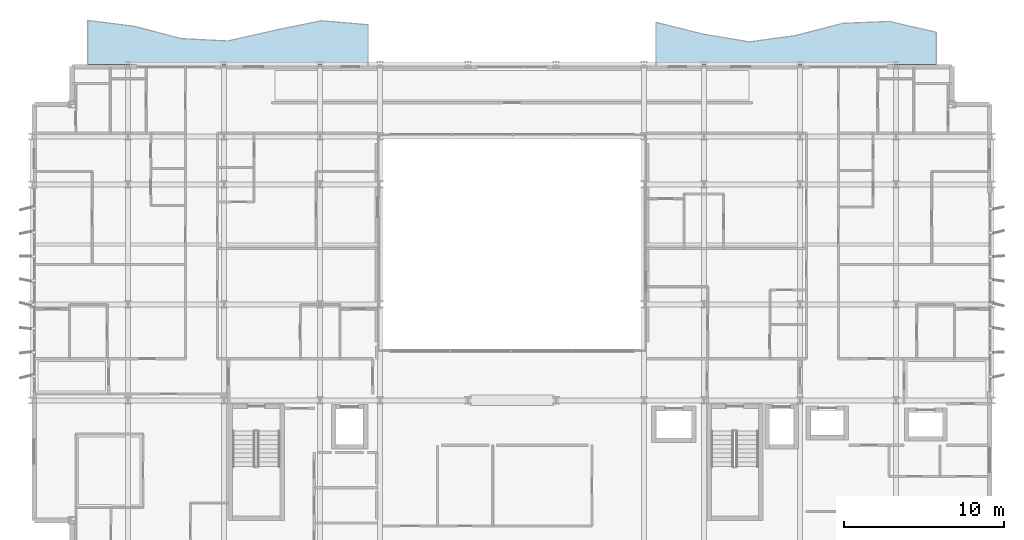
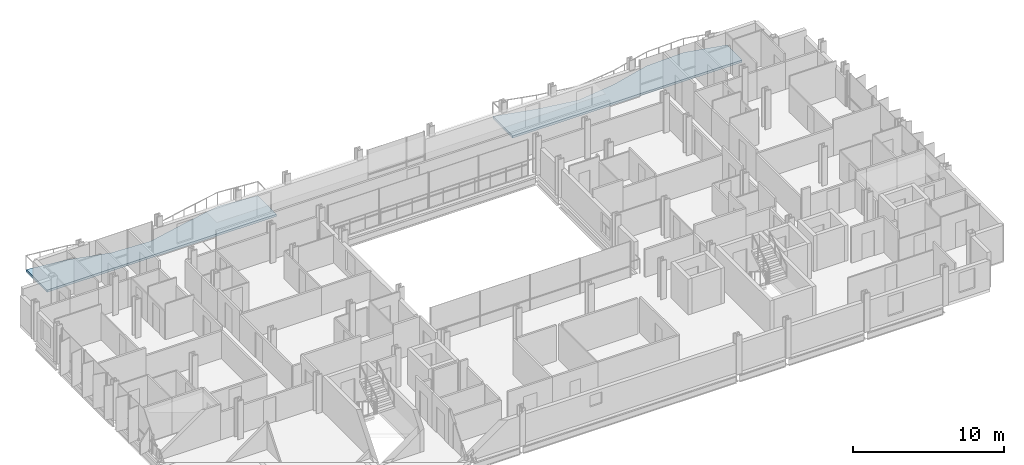
# One storey, part 25 of 38: 2 slabs.
"""IFC4 building model written with IfcOpenShell, lengths in metres."""

from ifc_helpers import new_model, si_unit, direction, frame, origin, place, context, subcontext, project, spatial, polyline, outline, extrude, material, layer, layer_set, type_object, element, save


model = new_model("IFC4")

# Units and contexts
model_context = context("Model", 3, precision=1e-05, world=origin(), true_north=direction((0.0, 1.0)))
body_context = subcontext(model_context, "Body", "Model", "MODEL_VIEW")
ifc_project = project(units=[si_unit("LENGTHUNIT", "METRE"), si_unit("AREAUNIT", "SQUARE_METRE"), si_unit("VOLUMEUNIT", "CUBIC_METRE"), si_unit("PLANEANGLEUNIT", "RADIAN"), si_unit("MASSUNIT", "GRAM", prefix="KILO")], contexts=[model_context])

# Site, building, storey
site_placement = place(None, origin())
site = spatial("IfcSite", under=ifc_project, at=site_placement, CompositionType="ELEMENT")
building_placement = place(site_placement, origin())
building = spatial("IfcBuilding", under=site, at=building_placement, Name="Brevholm Reach", CompositionType="ELEMENT")
storey_placement = place(building_placement, frame((0.0, 0.0, 52.800048828125)))
storey = spatial("IfcBuildingStorey", under=building, at=storey_placement, Name="L14", CompositionType="ELEMENT", Elevation=52.800048828125)

# Slabs
ifc_material = material(Name="Precast Concrete C40/50", Category="concrete")
ifc_layer = layer(ifc_material, 0.179931640625)
ifc_layer_set = layer_set([ifc_layer], Name="Precast Concrete C40/50")
slab_type = type_object("IfcSlabType", Name="SLB-BAL-180", PredefinedType="FLOOR", material=ifc_layer_set)
slab_1_placement = place(storey_placement, frame((0.0, 0.0, -0.179931640625)))
element("IfcSlab", 1, at=slab_1_placement, inside=storey, type_object=slab_type, Name="L14 Rippling External Balcony NE", PredefinedType="FLOOR", context=body_context, shape_type="SweptSolid", body=[
    extrude(outline(polyline([(39.0, 31.0), (56.5, 31.0), (56.5, 33.00439453125), (53.583251953125, 33.681640625), (50.666748046875, 33.560546875), (47.75, 32.800537109375), (44.833251953125, 32.401611328125), (41.916748046875, 32.888916015625), (39.0, 33.62109375), (39.0, 31.0)])), origin(), (0.0, 0.0, 1.0), 0.179931640625),
])
slab_2_placement = place(storey_placement, frame((0.0, 0.0, -0.179931640625)))
element("IfcSlab", 2, at=slab_2_placement, inside=storey, type_object=slab_type, Name="L14 Rippling External Balcony NW", PredefinedType="FLOOR", context=body_context, shape_type="SweptSolid", body=[
    extrude(outline(polyline([(3.5, 31.0), (21.0, 31.0), (21.0, 33.4716796875), (18.083251953125, 33.723876953125), (15.166748046875, 33.1220703125), (12.25, 32.45849609375), (9.333251953125, 32.606201171875), (6.416748046875, 33.370849609375), (3.5, 33.746337890625), (3.5, 31.0)])), origin(), (0.0, 0.0, 1.0), 0.179931640625),
])

save(model, "model.ifc")
